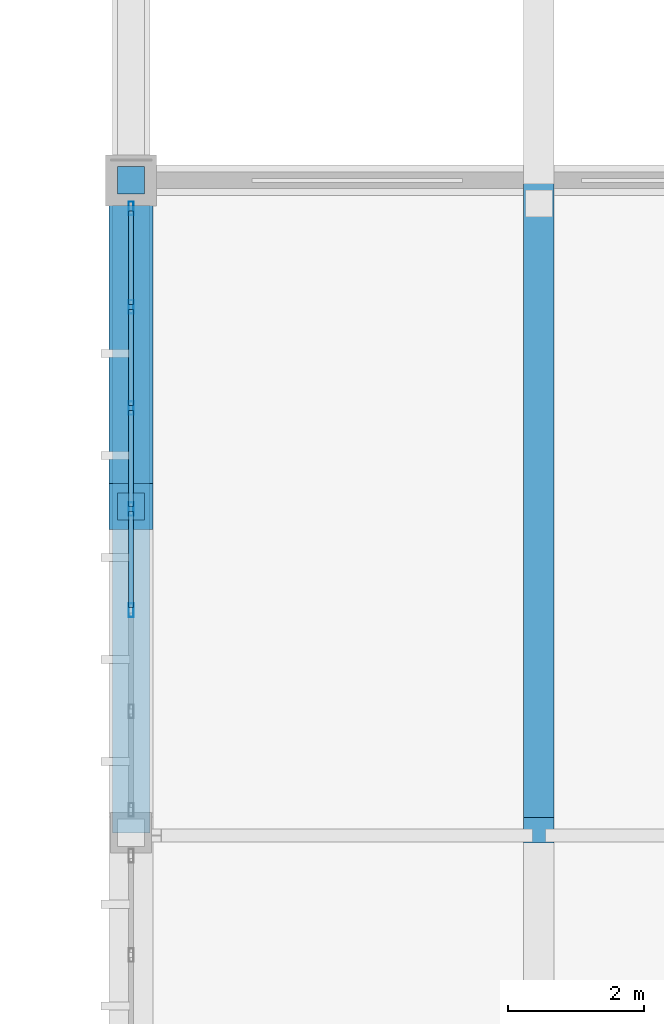
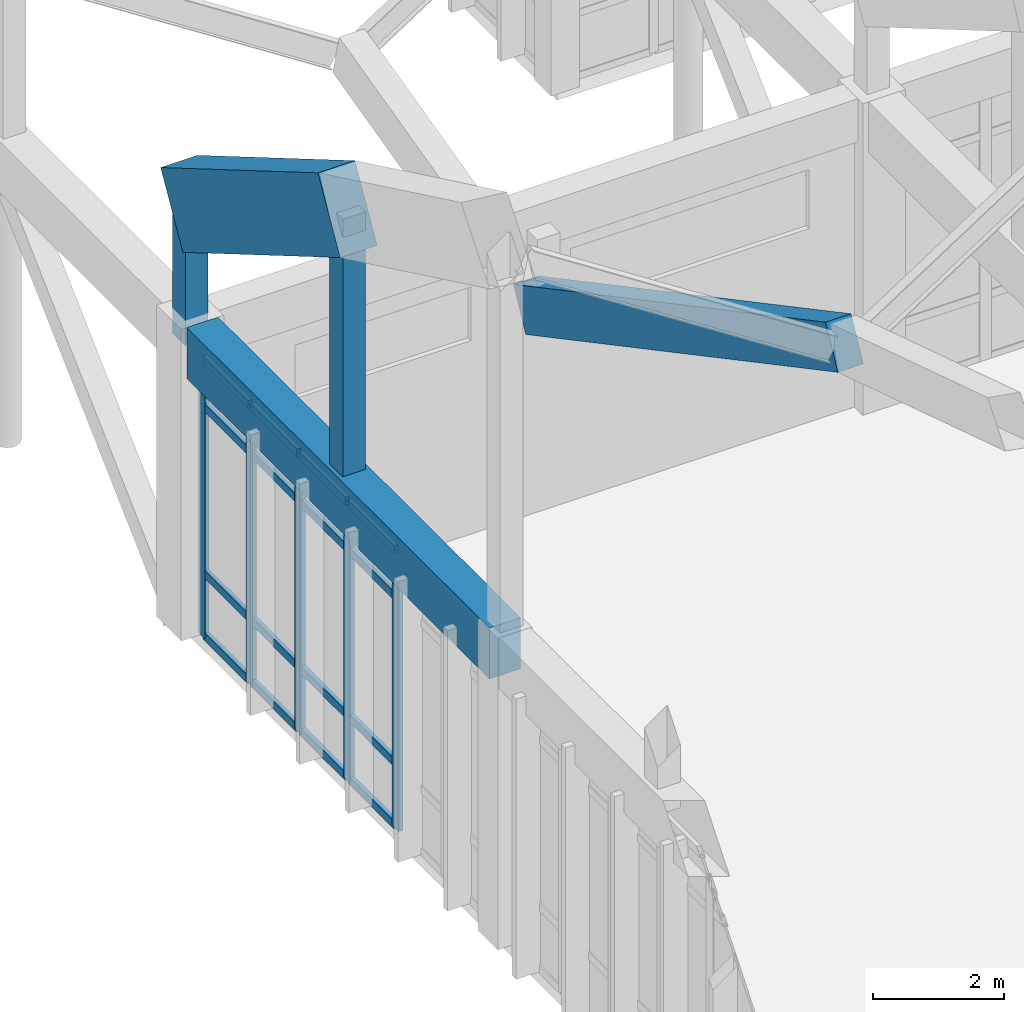
# One storey, part 70 of 236: 24 members, 2 beams, 1 element without a shape of its own.
"""IFC4 building model written with IfcOpenShell, lengths in metres."""

from ifc_helpers import new_model, si_unit, direction, frame, origin, origin_2d, place, context, subcontext, project, spatial, rectangle, hollow_rectangle, extrude, material, layer, layer_set, material_profile, profile_set, type_object, element, aggregate, save


model = new_model("IFC4")

# Units and contexts
model_context = context("Model", 3, precision=1e-05, world=origin(), true_north=direction((0.0, 1.0)))
body_context = subcontext(model_context, "Body", "Model", "MODEL_VIEW")
ifc_project = project(units=[si_unit("LENGTHUNIT", "METRE"), si_unit("AREAUNIT", "SQUARE_METRE"), si_unit("VOLUMEUNIT", "CUBIC_METRE"), si_unit("PLANEANGLEUNIT", "RADIAN"), si_unit("MASSUNIT", "GRAM", prefix="KILO")], contexts=[model_context])

# Site, building, storey
site_placement = place(None, origin())
site = spatial("IfcSite", under=ifc_project, at=site_placement, CompositionType="ELEMENT")
building_placement = place(site_placement, origin())
building = spatial("IfcBuilding", under=site, at=building_placement, Name="Pandanus Reach Market Hall", CompositionType="ELEMENT")
storey_placement = place(building_placement, frame((0.0, 0.0, 5.39990234375)))
storey = spatial("IfcBuildingStorey", under=building, at=storey_placement, Name="L01", CompositionType="ELEMENT", Elevation=5.39990234375)

# Members
ifc_material_1 = material(Name="Concrete N50 (50 MPa)", Category="concrete")
ifc_material_profile_1 = material_profile(ifc_material_1, rectangle(XDim=0.64990234375, YDim=1.35009765625, at=origin_2d()), Name="RC650x1350", Category="LoadBearing")
ifc_profile_set_1 = profile_set([ifc_material_profile_1], Name="Concrete N50 (50 MPa)")
member_type_1 = type_object("IfcMemberType", Name="AR-RC650-E", PredefinedType="CHORD", material=ifc_profile_set_1)
member_1_placement = place(storey_placement, frame((48.0, 81.60009765625, 10.59130859375), z_axis=(0.0, 0.862886095496, -0.505398443013), x_axis=(-1.0, 0.0, 0.0)))
element("IfcMember", 1, at=member_1_placement, inside=storey, type_object=member_type_1, Name="Parabolic arch top chord A1.12", PredefinedType="CHORD", context=body_context, shape_type="SweptSolid", body=[
    extrude(rectangle(XDim=0.64990234375, YDim=1.35009765625, at=origin_2d()), origin(), (0.0, 0.0, 1.0), 5.5625),
])
ifc_material_profile_2 = material_profile(ifc_material_1, rectangle(XDim=0.39990234375, YDim=0.39990234375, at=origin_2d()), Name="RC400x400", Category="LoadBearing")
ifc_profile_set_2 = profile_set([ifc_material_profile_2], Name="Concrete N50 (50 MPa)")
member_type_2 = type_object("IfcMemberType", Name="AR-WEB400-E", PredefinedType="STRUT", material=ifc_profile_set_2)
member_2_placement = place(storey_placement, frame((48.0, 86.39990234375, 5.3251953125), z_axis=(0.0, 0.0, 1.0), x_axis=(1.0, 0.0, 0.0)))
element("IfcMember", 2, at=member_2_placement, inside=storey, type_object=member_type_2, Name="Arch springing concrete strut A1.N", PredefinedType="STRUT", context=body_context, shape_type="SweptSolid", body=[
    extrude(rectangle(XDim=0.39990234375, YDim=0.39990234375, at=origin_2d()), origin(), (0.0, 0.0, 1.0), 2.454833984375),
])
member_3_placement = place(storey_placement, frame((48.0, 81.60009765625, 5.3251953125), z_axis=(0.0, 0.0, 1.0), x_axis=(1.0, 0.0, 0.0)))
element("IfcMember", 3, at=member_3_placement, inside=storey, type_object=member_type_2, Name="Arch truss vertical web strut A1.11", PredefinedType="STRUT", context=body_context, shape_type="SweptSolid", body=[
    extrude(rectangle(XDim=0.39990234375, YDim=0.39990234375, at=origin_2d()), origin(), (0.0, 0.0, 1.0), 5.26611328125),
])

# Beams
ifc_material_2 = material(Name="Concrete N40 (40 MPa)", Category="concrete")
ifc_material_profile_3 = material_profile(ifc_material_2, rectangle(XDim=0.449951171875, YDim=0.800048828125, at=origin_2d()), Name="RC450x800", Category="LoadBearing")
ifc_profile_set_3 = profile_set([ifc_material_profile_3], Name="Concrete N40 (40 MPa)")
beam_type_1 = type_object("IfcBeamType", Name="BM-RC450-I", PredefinedType="BEAM", material=ifc_profile_set_3)
beam_1_placement = place(storey_placement, frame((54.0, 76.840087890625, 8.88427734375), z_axis=(0.0, 0.882689208935, -0.469957189996), x_axis=(-1.0, 0.0, 0.0)))
element("IfcBeam", 4, at=beam_1_placement, inside=storey, type_object=beam_type_1, Name="Butterfly valley beam B1.7", PredefinedType="BEAM", context=body_context, shape_type="SweptSolid", body=[
    extrude(rectangle(XDim=0.449951171875, YDim=0.800048828125, at=origin_2d()), origin(), (0.0, 0.0, 1.0), 10.78515625),
])
ifc_material_profile_4 = material_profile(ifc_material_1, rectangle(XDim=0.550048828125, YDim=0.949951171875, at=origin_2d()), Name="RC550x950", Category="LoadBearing")
ifc_profile_set_4 = profile_set([ifc_material_profile_4], Name="Concrete N50 (50 MPa)")
beam_type_2 = type_object("IfcBeamType", Name="BM-RC550-E", PredefinedType="BEAM", material=ifc_profile_set_4)
beam_2_placement = place(storey_placement, frame((48.0, 76.800048828125, 5.3251953125), z_axis=(0.0, 1.0, 0.0), x_axis=(-1.0, 0.0, 0.0)))
element("IfcBeam", 5, at=beam_2_placement, inside=storey, type_object=beam_type_2, Name="Parabolic arch tie girder A1.6", PredefinedType="BEAM", context=body_context, shape_type="SweptSolid", body=[
    extrude(rectangle(XDim=0.550048828125, YDim=0.949951171875, at=origin_2d()), origin(), (0.0, 0.0, 1.0), 9.22705078125),
])

# Curtain wall, members
ifc_material_3 = material(Name="Bronze anodised aluminium and low-E glass", Category="aluminium")
ifc_layer = layer(ifc_material_3, 0.199951171875, Name="CW-04")
ifc_layer_set = layer_set([ifc_layer], Name="Bronze anodised aluminium and low-E glass")
curtain_wall_type = type_object("IfcCurtainWallType", Name="CW-04", PredefinedType="NOTDEFINED", material=ifc_layer_set)
curtain_wall_placement = place(storey_placement, origin())
curtain_wall = element("IfcCurtainWall", 6, at=curtain_wall_placement, inside=storey, type_object=curtain_wall_type, Name="Glazed curtain wall CW-04 CW-0035", PredefinedType="NOTDEFINED")
ifc_material_4 = material(Name="Bronze anodised aluminium", Category="aluminium")
ifc_material_profile_5 = material_profile(ifc_material_4, hollow_rectangle(XDim=0.074951171875, YDim=0.199951171875, WallThickness=0.00439453125, at=origin_2d()), Name="ALU75x200", Category="LoadBearing")
ifc_profile_set_5 = profile_set([ifc_material_profile_5], Name="Bronze anodised aluminium")
member_type_3 = type_object("IfcMemberType", Name="CW-M2", PredefinedType="MULLION", material=ifc_profile_set_5)
member_4_placement = place(storey_placement, frame((48.0, 80.074951171875, 0.0), z_axis=(0.0, 0.0, 1.0), x_axis=(-1.0, 0.0, 0.0)))
member_4 = element("IfcMember", 7, at=member_4_placement, type_object=member_type_3, Name="CW-04 mullion 3", PredefinedType="MULLION", context=body_context, shape_type="SweptSolid", body=[
    extrude(hollow_rectangle(XDim=0.074951171875, YDim=0.199951171875, WallThickness=0.00439453125, at=origin_2d()), origin(), (0.0, 0.0, 1.0), 5.2001953125),
])
member_5_placement = place(storey_placement, frame((48.0, 81.5625, 0.0), z_axis=(0.0, 0.0, 1.0), x_axis=(-1.0, 0.0, 0.0)))
member_5 = element("IfcMember", 8, at=member_5_placement, type_object=member_type_3, Name="CW-04 mullion 4", PredefinedType="MULLION", context=body_context, shape_type="SweptSolid", body=[
    extrude(hollow_rectangle(XDim=0.074951171875, YDim=0.199951171875, WallThickness=0.00439453125, at=origin_2d()), origin(), (0.0, 0.0, 1.0), 5.2001953125),
])
member_6_placement = place(storey_placement, frame((48.0, 83.050048828125, 0.0), z_axis=(0.0, 0.0, 1.0), x_axis=(-1.0, 0.0, 0.0)))
member_6 = element("IfcMember", 9, at=member_6_placement, type_object=member_type_3, Name="CW-04 mullion 5", PredefinedType="MULLION", context=body_context, shape_type="SweptSolid", body=[
    extrude(hollow_rectangle(XDim=0.074951171875, YDim=0.199951171875, WallThickness=0.00439453125, at=origin_2d()), origin(), (0.0, 0.0, 1.0), 5.2001953125),
])
member_7_placement = place(storey_placement, frame((48.0, 84.53759765625, 0.0), z_axis=(0.0, 0.0, 1.0), x_axis=(-1.0, 0.0, 0.0)))
member_7 = element("IfcMember", 10, at=member_7_placement, type_object=member_type_3, Name="CW-04 mullion 6", PredefinedType="MULLION", context=body_context, shape_type="SweptSolid", body=[
    extrude(hollow_rectangle(XDim=0.074951171875, YDim=0.199951171875, WallThickness=0.00439453125, at=origin_2d()), origin(), (0.0, 0.0, 1.0), 5.2001953125),
])
member_8_placement = place(storey_placement, frame((48.0, 85.987548828125, 0.0), z_axis=(0.0, 0.0, 1.0), x_axis=(-1.0, 0.0, 0.0)))
member_8 = element("IfcMember", 11, at=member_8_placement, type_object=member_type_3, Name="CW-04 mullion 7", PredefinedType="MULLION", context=body_context, shape_type="SweptSolid", body=[
    extrude(hollow_rectangle(XDim=0.074951171875, YDim=0.199951171875, WallThickness=0.00439453125, at=origin_2d()), origin(), (0.0, 0.0, 1.0), 5.2001953125),
])
ifc_material_profile_6 = material_profile(ifc_material_4, hollow_rectangle(XDim=0.074951171875, YDim=0.14990234375, WallThickness=0.00439453125, at=origin_2d()), Name="ALU75x150", Category="LoadBearing")
ifc_profile_set_6 = profile_set([ifc_material_profile_6], Name="Bronze anodised aluminium")
member_type_4 = type_object("IfcMemberType", Name="CW-T2", PredefinedType="USERDEFINED", material=ifc_profile_set_6)
member_9_placement = place(storey_placement, frame((48.0, 80.112548828125, 0.03759765625), z_axis=(0.0, 1.0, 0.0), x_axis=(-1.0, 0.0, 0.0)))
member_9 = element("IfcMember", 12, at=member_9_placement, type_object=member_type_4, Name="CW-04 transom 3.1", ObjectType="TRANSOM", PredefinedType="USERDEFINED", context=body_context, shape_type="SweptSolid", body=[
    extrude(hollow_rectangle(XDim=0.074951171875, YDim=0.14990234375, WallThickness=0.00439453125, at=origin_2d()), origin(), (0.0, 0.0, 1.0), 1.412353515625),
])
member_10_placement = place(storey_placement, frame((48.0, 80.112548828125, 1.2001953125), z_axis=(0.0, 1.0, 0.0), x_axis=(-1.0, 0.0, 0.0)))
member_10 = element("IfcMember", 13, at=member_10_placement, type_object=member_type_4, Name="CW-04 transom 3.2", ObjectType="TRANSOM", PredefinedType="USERDEFINED", context=body_context, shape_type="SweptSolid", body=[
    extrude(hollow_rectangle(XDim=0.074951171875, YDim=0.14990234375, WallThickness=0.00439453125, at=origin_2d()), origin(), (0.0, 0.0, 1.0), 1.412353515625),
])
member_11_placement = place(storey_placement, frame((48.0, 80.112548828125, 4.300048828125), z_axis=(0.0, 1.0, 0.0), x_axis=(-1.0, 0.0, 0.0)))
member_11 = element("IfcMember", 14, at=member_11_placement, type_object=member_type_4, Name="CW-04 transom 3.3", ObjectType="TRANSOM", PredefinedType="USERDEFINED", context=body_context, shape_type="SweptSolid", body=[
    extrude(hollow_rectangle(XDim=0.074951171875, YDim=0.14990234375, WallThickness=0.00439453125, at=origin_2d()), origin(), (0.0, 0.0, 1.0), 1.412353515625),
])
member_12_placement = place(storey_placement, frame((48.0, 80.112548828125, 5.16259765625), z_axis=(0.0, 1.0, 0.0), x_axis=(-1.0, 0.0, 0.0)))
member_12 = element("IfcMember", 15, at=member_12_placement, type_object=member_type_4, Name="CW-04 transom 3.4", ObjectType="TRANSOM", PredefinedType="USERDEFINED", context=body_context, shape_type="SweptSolid", body=[
    extrude(hollow_rectangle(XDim=0.074951171875, YDim=0.14990234375, WallThickness=0.00439453125, at=origin_2d()), origin(), (0.0, 0.0, 1.0), 1.412353515625),
])
member_13_placement = place(storey_placement, frame((48.0, 81.60009765625, 0.03759765625), z_axis=(0.0, 1.0, 0.0), x_axis=(-1.0, 0.0, 0.0)))
member_13 = element("IfcMember", 16, at=member_13_placement, type_object=member_type_4, Name="CW-04 transom 4.1", ObjectType="TRANSOM", PredefinedType="USERDEFINED", context=body_context, shape_type="SweptSolid", body=[
    extrude(hollow_rectangle(XDim=0.074951171875, YDim=0.14990234375, WallThickness=0.00439453125, at=origin_2d()), origin(), (0.0, 0.0, 1.0), 1.412353515625),
])
member_14_placement = place(storey_placement, frame((48.0, 81.60009765625, 1.2001953125), z_axis=(0.0, 1.0, 0.0), x_axis=(-1.0, 0.0, 0.0)))
member_14 = element("IfcMember", 17, at=member_14_placement, type_object=member_type_4, Name="CW-04 transom 4.2", ObjectType="TRANSOM", PredefinedType="USERDEFINED", context=body_context, shape_type="SweptSolid", body=[
    extrude(hollow_rectangle(XDim=0.074951171875, YDim=0.14990234375, WallThickness=0.00439453125, at=origin_2d()), origin(), (0.0, 0.0, 1.0), 1.412353515625),
])
member_15_placement = place(storey_placement, frame((48.0, 81.60009765625, 4.300048828125), z_axis=(0.0, 1.0, 0.0), x_axis=(-1.0, 0.0, 0.0)))
member_15 = element("IfcMember", 18, at=member_15_placement, type_object=member_type_4, Name="CW-04 transom 4.3", ObjectType="TRANSOM", PredefinedType="USERDEFINED", context=body_context, shape_type="SweptSolid", body=[
    extrude(hollow_rectangle(XDim=0.074951171875, YDim=0.14990234375, WallThickness=0.00439453125, at=origin_2d()), origin(), (0.0, 0.0, 1.0), 1.412353515625),
])
member_16_placement = place(storey_placement, frame((48.0, 81.60009765625, 5.16259765625), z_axis=(0.0, 1.0, 0.0), x_axis=(-1.0, 0.0, 0.0)))
member_16 = element("IfcMember", 19, at=member_16_placement, type_object=member_type_4, Name="CW-04 transom 4.4", ObjectType="TRANSOM", PredefinedType="USERDEFINED", context=body_context, shape_type="SweptSolid", body=[
    extrude(hollow_rectangle(XDim=0.074951171875, YDim=0.14990234375, WallThickness=0.00439453125, at=origin_2d()), origin(), (0.0, 0.0, 1.0), 1.412353515625),
])
member_17_placement = place(storey_placement, frame((48.0, 83.08740234375, 0.03759765625), z_axis=(0.0, 1.0, 0.0), x_axis=(-1.0, 0.0, 0.0)))
member_17 = element("IfcMember", 20, at=member_17_placement, type_object=member_type_4, Name="CW-04 transom 5.1", ObjectType="TRANSOM", PredefinedType="USERDEFINED", context=body_context, shape_type="SweptSolid", body=[
    extrude(hollow_rectangle(XDim=0.074951171875, YDim=0.14990234375, WallThickness=0.00439453125, at=origin_2d()), origin(), (0.0, 0.0, 1.0), 1.41259765625),
])
member_18_placement = place(storey_placement, frame((48.0, 83.08740234375, 1.2001953125), z_axis=(0.0, 1.0, 0.0), x_axis=(-1.0, 0.0, 0.0)))
member_18 = element("IfcMember", 21, at=member_18_placement, type_object=member_type_4, Name="CW-04 transom 5.2", ObjectType="TRANSOM", PredefinedType="USERDEFINED", context=body_context, shape_type="SweptSolid", body=[
    extrude(hollow_rectangle(XDim=0.074951171875, YDim=0.14990234375, WallThickness=0.00439453125, at=origin_2d()), origin(), (0.0, 0.0, 1.0), 1.41259765625),
])
member_19_placement = place(storey_placement, frame((48.0, 83.08740234375, 4.300048828125), z_axis=(0.0, 1.0, 0.0), x_axis=(-1.0, 0.0, 0.0)))
member_19 = element("IfcMember", 22, at=member_19_placement, type_object=member_type_4, Name="CW-04 transom 5.3", ObjectType="TRANSOM", PredefinedType="USERDEFINED", context=body_context, shape_type="SweptSolid", body=[
    extrude(hollow_rectangle(XDim=0.074951171875, YDim=0.14990234375, WallThickness=0.00439453125, at=origin_2d()), origin(), (0.0, 0.0, 1.0), 1.41259765625),
])
member_20_placement = place(storey_placement, frame((48.0, 83.08740234375, 5.16259765625), z_axis=(0.0, 1.0, 0.0), x_axis=(-1.0, 0.0, 0.0)))
member_20 = element("IfcMember", 23, at=member_20_placement, type_object=member_type_4, Name="CW-04 transom 5.4", ObjectType="TRANSOM", PredefinedType="USERDEFINED", context=body_context, shape_type="SweptSolid", body=[
    extrude(hollow_rectangle(XDim=0.074951171875, YDim=0.14990234375, WallThickness=0.00439453125, at=origin_2d()), origin(), (0.0, 0.0, 1.0), 1.41259765625),
])
member_21_placement = place(storey_placement, frame((48.0, 84.574951171875, 0.03759765625), z_axis=(0.0, 1.0, 0.0), x_axis=(-1.0, 0.0, 0.0)))
member_21 = element("IfcMember", 24, at=member_21_placement, type_object=member_type_4, Name="CW-04 transom 6.1", ObjectType="TRANSOM", PredefinedType="USERDEFINED", context=body_context, shape_type="SweptSolid", body=[
    extrude(hollow_rectangle(XDim=0.074951171875, YDim=0.14990234375, WallThickness=0.00439453125, at=origin_2d()), origin(), (0.0, 0.0, 1.0), 1.375),
])
member_22_placement = place(storey_placement, frame((48.0, 84.574951171875, 1.2001953125), z_axis=(0.0, 1.0, 0.0), x_axis=(-1.0, 0.0, 0.0)))
member_22 = element("IfcMember", 25, at=member_22_placement, type_object=member_type_4, Name="CW-04 transom 6.2", ObjectType="TRANSOM", PredefinedType="USERDEFINED", context=body_context, shape_type="SweptSolid", body=[
    extrude(hollow_rectangle(XDim=0.074951171875, YDim=0.14990234375, WallThickness=0.00439453125, at=origin_2d()), origin(), (0.0, 0.0, 1.0), 1.375),
])
member_23_placement = place(storey_placement, frame((48.0, 84.574951171875, 4.300048828125), z_axis=(0.0, 1.0, 0.0), x_axis=(-1.0, 0.0, 0.0)))
member_23 = element("IfcMember", 26, at=member_23_placement, type_object=member_type_4, Name="CW-04 transom 6.3", ObjectType="TRANSOM", PredefinedType="USERDEFINED", context=body_context, shape_type="SweptSolid", body=[
    extrude(hollow_rectangle(XDim=0.074951171875, YDim=0.14990234375, WallThickness=0.00439453125, at=origin_2d()), origin(), (0.0, 0.0, 1.0), 1.375),
])
member_24_placement = place(storey_placement, frame((48.0, 84.574951171875, 5.16259765625), z_axis=(0.0, 1.0, 0.0), x_axis=(-1.0, 0.0, 0.0)))
member_24 = element("IfcMember", 27, at=member_24_placement, type_object=member_type_4, Name="CW-04 transom 6.4", ObjectType="TRANSOM", PredefinedType="USERDEFINED", context=body_context, shape_type="SweptSolid", body=[
    extrude(hollow_rectangle(XDim=0.074951171875, YDim=0.14990234375, WallThickness=0.00439453125, at=origin_2d()), origin(), (0.0, 0.0, 1.0), 1.375),
])
aggregate(curtain_wall, [member_4, member_5, member_6, member_7, member_8, member_9, member_10, member_11, member_12, member_13, member_14, member_15, member_16, member_17, member_18, member_19, member_20, member_21, member_22, member_23, member_24])

save(model, "model.ifc")
